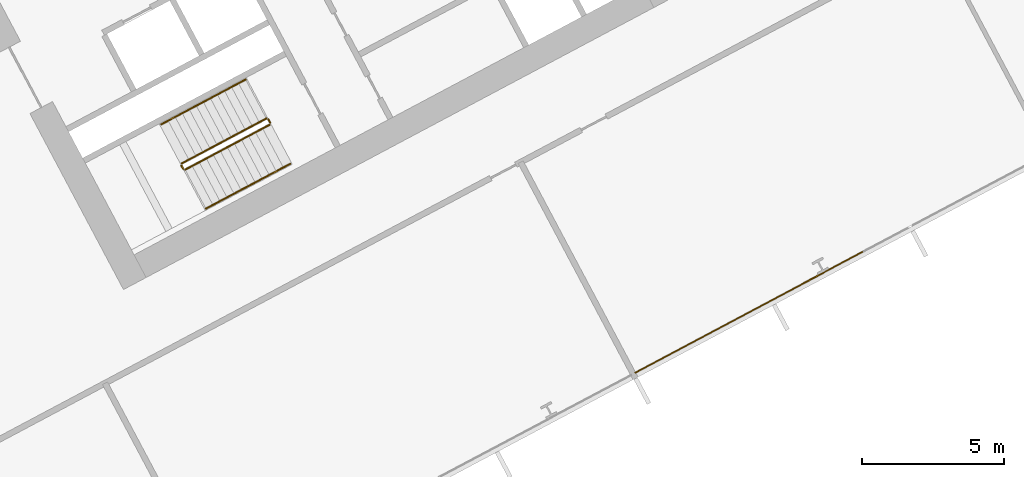
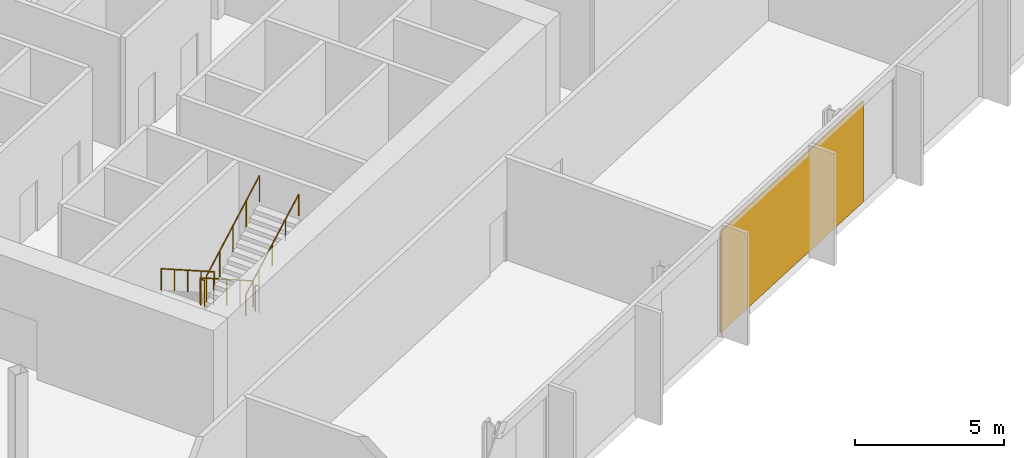
# One storey, part 27 of 31: 6 railings, 1 covering, 1 element without a shape of its own.
"""IFC4 building model written with IfcOpenShell, lengths in metres."""

from ifc_helpers import new_model, si_unit, direction, frame, origin, origin_2d, place, context, subcontext, project, spatial, polyline, rectangle, outline, extrude, material, layer, layer_set, type_object, element, aggregate, save


model = new_model("IFC4")

# Units and contexts
model_context = context("Model", 3, precision=1e-05, world=origin(), true_north=direction((0.0, 1.0)))
body_context = subcontext(model_context, "Body", "Model", "MODEL_VIEW")
ifc_project = project(units=[si_unit("LENGTHUNIT", "METRE"), si_unit("AREAUNIT", "SQUARE_METRE"), si_unit("VOLUMEUNIT", "CUBIC_METRE"), si_unit("PLANEANGLEUNIT", "RADIAN"), si_unit("MASSUNIT", "GRAM", prefix="KILO")], contexts=[model_context])

# Site, building, storey
site_placement = place(None, origin())
site = spatial("IfcSite", under=ifc_project, at=site_placement, CompositionType="ELEMENT")
building_placement = place(site_placement, origin())
building = spatial("IfcBuilding", under=site, at=building_placement, Name="Cormorant Relay Tower", CompositionType="ELEMENT")
storey_placement = place(building_placement, frame((0.0, 0.0, 98.39990234375)))
storey = spatial("IfcBuildingStorey", under=building, at=storey_placement, Name="L19", CompositionType="ELEMENT", Elevation=98.39990234375)

# Curtain wall, covering
ifc_material_1 = material(Name="Aluminium 6063-T6 anodised bronze", Category="aluminium")
ifc_layer_1 = layer(ifc_material_1, 0.199951171875)
ifc_layer_set_1 = layer_set([ifc_layer_1], Name="CW1 unitised bronze curtain wall with vertical fins")
curtain_wall_type = type_object("IfcCurtainWallType", Name="CW1 unitised bronze curtain wall with vertical fins", PredefinedType="NOTDEFINED", material=ifc_layer_set_1)
curtain_wall_placement = place(storey_placement, origin())
curtain_wall = element("IfcCurtainWall", 1, at=curtain_wall_placement, inside=storey, type_object=curtain_wall_type, Name="CW1 curtain wall 2", PredefinedType="NOTDEFINED")
ifc_material_2 = material(Name="Pale bronze anodised aluminium insulated panel", Category="aluminium")
ifc_layer_2 = layer(ifc_material_2, 0.0400390625)
ifc_layer_set_2 = layer_set([ifc_layer_2], Name="CW1 pale bronze insulated panel 40")
covering_type = type_object("IfcCoveringType", Name="CW1 pale bronze insulated panel 40", PredefinedType="CLADDING", material=ifc_layer_set_2)
covering_placement = place(storey_placement, frame((40.797119140625, -2.114501953125, 0.000244140625), z_axis=(0.0, 0.0, 1.0), x_axis=(0.882947592859, 0.469471562786, 0.0)))
covering = element("IfcCovering", 2, at=covering_placement, type_object=covering_type, Name="CW1 panel S07", PredefinedType="CLADDING", context=body_context, shape_type="SweptSolid", body=[
    extrude(rectangle(XDim=9.07373046875, YDim=0.0400390625, at=origin_2d()), origin(), (0.0, 0.0, 1.0), 4.14990234375),
])
aggregate(curtain_wall, [covering])

# Railings
ifc_material_3 = material(Name="Steel ASTM A572 Grade 50 (Fy 345 MPa)", Category="steel")
railing_type_1 = type_object("IfcRailingType", Name="Stair guard 1100", PredefinedType="GUARDRAIL", material=ifc_material_3)
railing_1_placement = place(storey_placement, frame((23.83837890625, 4.6904296875, 0.177001953125)))
element("IfcRailing", 3, at=railing_1_placement, inside=storey, type_object=railing_type_1, Name="L19 B1 stair guard 1", PredefinedType="GUARDRAIL", context=body_context, shape_type="SweptSolid", body=[
    extrude(outline(polyline([(0.022216796875, 0.00927734375), (0.00927734375, 0.022216796875), (-0.00927734375, 0.022216796875), (-0.022216796875, 0.00927734375), (-0.022216796875, -0.00927734375), (-0.00927734375, -0.022216796875), (0.00927734375, -0.022216796875), (0.022216796875, -0.00927734375), (0.022216796875, 0.00927734375)])), frame((0.0, 0.0, 1.076171875), z_axis=(-0.746440668329, -0.396869088057, 0.534154711306), x_axis=(0.46945269911, -0.882957622595, 0.0)), (0.0, 0.0, 1.0), 3.974609375),
    extrude(outline(polyline([(0.019287109375, 0.008056640625), (0.008056640625, 0.019287109375), (-0.008056640625, 0.019287109375), (-0.019287109375, 0.008056640625), (-0.019287109375, -0.008056640625), (-0.008056640625, -0.019287109375), (0.008056640625, -0.019287109375), (0.019287109375, -0.008056640625), (0.019287109375, 0.008056640625)])), origin(), (0.0, 0.0, 1.0), 1.052001953125),
    extrude(outline(polyline([(0.019287109375, 0.008056640625), (0.008056640625, 0.019287109375), (-0.008056640625, 0.019287109375), (-0.019287109375, 0.008056640625), (-0.019287109375, -0.008056640625), (-0.008056640625, -0.019287109375), (0.008056640625, -0.019287109375), (0.019287109375, -0.008056640625), (0.019287109375, 0.008056640625)])), frame((-0.74169921875, -0.394287109375, 0.53076171875)), (0.0, 0.0, 1.0), 1.052001953125),
    extrude(outline(polyline([(0.019287109375, 0.008056640625), (0.008056640625, 0.019287109375), (-0.008056640625, 0.019287109375), (-0.019287109375, 0.008056640625), (-0.019287109375, -0.008056640625), (-0.008056640625, -0.019287109375), (0.008056640625, -0.019287109375), (0.019287109375, -0.008056640625), (0.019287109375, 0.008056640625)])), frame((-1.4833984375, -0.78857421875, 1.0615234375)), (0.0, 0.0, 1.0), 1.052001953125),
    extrude(outline(polyline([(0.019287109375, 0.008056640625), (0.008056640625, 0.019287109375), (-0.008056640625, 0.019287109375), (-0.019287109375, 0.008056640625), (-0.019287109375, -0.008056640625), (-0.008056640625, -0.019287109375), (0.008056640625, -0.019287109375), (0.019287109375, -0.008056640625), (0.019287109375, 0.008056640625)])), frame((-2.22509765625, -1.18310546875, 1.59228515625)), (0.0, 0.0, 1.0), 1.052001953125),
    extrude(outline(polyline([(0.019287109375, 0.008056640625), (0.008056640625, 0.019287109375), (-0.008056640625, 0.019287109375), (-0.019287109375, 0.008056640625), (-0.019287109375, -0.008056640625), (-0.008056640625, -0.019287109375), (0.008056640625, -0.019287109375), (0.019287109375, -0.008056640625), (0.019287109375, 0.008056640625)])), frame((-2.966796875, -1.577392578125, 2.123046875)), (0.0, 0.0, 1.0), 1.052001953125),
])
railing_2_placement = place(storey_placement, frame((20.850830078125, 3.04541015625, 2.300048828125)))
element("IfcRailing", 4, at=railing_2_placement, inside=storey, type_object=railing_type_1, Name="L19 B1 stair guard 2", PredefinedType="GUARDRAIL", context=body_context, shape_type="SweptSolid", body=[
    extrude(outline(polyline([(0.022216796875, 0.00927734375), (0.00927734375, 0.022216796875), (-0.00927734375, 0.022216796875), (-0.022216796875, 0.00927734375), (-0.022216796875, -0.00927734375), (-0.00927734375, -0.022216796875), (0.00927734375, -0.022216796875), (0.022216796875, -0.00927734375), (0.022216796875, 0.00927734375)])), frame((0.0, 0.0, 1.076171875), z_axis=(0.469828648786, -0.882757634224, 0.0), x_axis=(0.882757634224, 0.469828648786, 0.0)), (0.0, 0.0, 1.0), 0.150146484375),
    extrude(outline(polyline([(0.019287109375, 0.008056640625), (0.008056640625, 0.019287109375), (-0.008056640625, 0.019287109375), (-0.019287109375, 0.008056640625), (-0.019287109375, -0.008056640625), (-0.008056640625, -0.019287109375), (0.008056640625, -0.019287109375), (0.019287109375, -0.008056640625), (0.019287109375, 0.008056640625)])), origin(), (0.0, 0.0, 1.0), 1.052001953125),
    extrude(outline(polyline([(0.019287109375, 0.008056640625), (0.008056640625, 0.019287109375), (-0.008056640625, 0.019287109375), (-0.019287109375, 0.008056640625), (-0.019287109375, -0.008056640625), (-0.008056640625, -0.019287109375), (0.008056640625, -0.019287109375), (0.019287109375, -0.008056640625), (0.019287109375, 0.008056640625)])), frame((0.070556640625, -0.132568359375, 0.0)), (0.0, 0.0, 1.0), 1.052001953125),
])
railing_3_placement = place(storey_placement, frame((20.989013671875, 2.892333984375, 2.47705078125)))
element("IfcRailing", 5, at=railing_3_placement, inside=storey, type_object=railing_type_1, Name="L19 B1 stair guard 3", PredefinedType="GUARDRAIL", context=body_context, shape_type="SweptSolid", body=[
    extrude(outline(polyline([(0.022216796875, 0.00927734375), (0.00927734375, 0.022216796875), (-0.00927734375, 0.022216796875), (-0.022216796875, 0.00927734375), (-0.022216796875, -0.00927734375), (-0.00927734375, -0.022216796875), (0.00927734375, -0.022216796875), (0.022216796875, -0.00927734375), (0.022216796875, 0.00927734375)])), frame((0.0, 0.0, 1.076171875), z_axis=(0.746413465702, 0.396887285154, 0.534179203172), x_axis=(-0.469482818608, 0.88294160794, 0.0)), (0.0, 0.0, 1.0), 3.974365234375),
    extrude(outline(polyline([(0.019287109375, 0.008056640625), (0.008056640625, 0.019287109375), (-0.008056640625, 0.019287109375), (-0.019287109375, 0.008056640625), (-0.019287109375, -0.008056640625), (-0.008056640625, -0.019287109375), (0.008056640625, -0.019287109375), (0.019287109375, -0.008056640625), (0.019287109375, 0.008056640625)])), origin(), (0.0, 0.0, 1.0), 1.052001953125),
    extrude(outline(polyline([(0.019287109375, 0.008056640625), (0.008056640625, 0.019287109375), (-0.008056640625, 0.019287109375), (-0.019287109375, 0.008056640625), (-0.019287109375, -0.008056640625), (-0.008056640625, -0.019287109375), (0.008056640625, -0.019287109375), (0.019287109375, -0.008056640625), (0.019287109375, 0.008056640625)])), frame((0.74169921875, 0.394287109375, 0.53076171875)), (0.0, 0.0, 1.0), 1.052001953125),
    extrude(outline(polyline([(0.019287109375, 0.008056640625), (0.008056640625, 0.019287109375), (-0.008056640625, 0.019287109375), (-0.019287109375, 0.008056640625), (-0.019287109375, -0.008056640625), (-0.008056640625, -0.019287109375), (0.008056640625, -0.019287109375), (0.019287109375, -0.008056640625), (0.019287109375, 0.008056640625)])), frame((1.4833984375, 0.78857421875, 1.0615234375)), (0.0, 0.0, 1.0), 1.052001953125),
    extrude(outline(polyline([(0.019287109375, 0.008056640625), (0.008056640625, 0.019287109375), (-0.008056640625, 0.019287109375), (-0.019287109375, 0.008056640625), (-0.019287109375, -0.008056640625), (-0.008056640625, -0.019287109375), (0.008056640625, -0.019287109375), (0.019287109375, -0.008056640625), (0.019287109375, 0.008056640625)])), frame((2.224853515625, 1.18310546875, 1.59228515625)), (0.0, 0.0, 1.0), 1.052001953125),
    extrude(outline(polyline([(0.019287109375, 0.008056640625), (0.008056640625, 0.019287109375), (-0.008056640625, 0.019287109375), (-0.019287109375, 0.008056640625), (-0.019287109375, -0.008056640625), (-0.008056640625, -0.019287109375), (0.008056640625, -0.019287109375), (0.019287109375, -0.008056640625), (0.019287109375, 0.008056640625)])), frame((2.966552734375, 1.577392578125, 2.123046875)), (0.0, 0.0, 1.0), 1.052001953125),
])
railing_4_placement = place(storey_placement, frame((23.906005859375, 4.669677734375, 0.0)))
element("IfcRailing", 6, at=railing_4_placement, inside=storey, type_object=railing_type_1, Name="L19 B1 stair guard 4", PredefinedType="GUARDRAIL", context=body_context, shape_type="SweptSolid", body=[
    extrude(outline(polyline([(0.022216796875, 0.00927734375), (0.00927734375, 0.022216796875), (-0.00927734375, 0.022216796875), (-0.022216796875, 0.00927734375), (-0.022216796875, -0.00927734375), (-0.00927734375, -0.022216796875), (0.00927734375, -0.022216796875), (0.022216796875, -0.00927734375), (0.022216796875, 0.00927734375)])), frame((0.0, 0.0, 1.076171875), z_axis=(0.469234640946, -0.883073525669, 0.0), x_axis=(0.883073525669, 0.469234640946, 0.0)), (0.0, 0.0, 1.0), 0.14990234375),
    extrude(outline(polyline([(0.019287109375, 0.008056640625), (0.008056640625, 0.019287109375), (-0.008056640625, 0.019287109375), (-0.019287109375, 0.008056640625), (-0.019287109375, -0.008056640625), (-0.008056640625, -0.019287109375), (0.008056640625, -0.019287109375), (0.019287109375, -0.008056640625), (0.019287109375, 0.008056640625)])), origin(), (0.0, 0.0, 1.0), 1.052001953125),
    extrude(outline(polyline([(0.019287109375, 0.008056640625), (0.008056640625, 0.019287109375), (-0.008056640625, 0.019287109375), (-0.019287109375, 0.008056640625), (-0.019287109375, -0.008056640625), (-0.008056640625, -0.019287109375), (0.008056640625, -0.019287109375), (0.019287109375, -0.008056640625), (0.019287109375, 0.008056640625)])), frame((0.0703125, -0.13232421875, 0.0)), (0.0, 0.0, 1.0), 1.052001953125),
])
ifc_material_4 = material(Name="Steel ASTM A572 Grade 50 (Fy 345 MPa)", Category="steel")
railing_type_2 = type_object("IfcRailingType", Name="Stair handrail 900", PredefinedType="HANDRAIL", material=ifc_material_4)
railing_5_placement = place(storey_placement, frame((23.110595703125, 6.05908203125, 0.177001953125)))
element("IfcRailing", 7, at=railing_5_placement, inside=storey, type_object=railing_type_2, Name="L19 B1 stair handrail 1", PredefinedType="HANDRAIL", context=body_context, shape_type="SweptSolid", body=[
    extrude(outline(polyline([(0.022216796875, 0.00927734375), (0.00927734375, 0.022216796875), (-0.00927734375, 0.022216796875), (-0.022216796875, 0.00927734375), (-0.022216796875, -0.00927734375), (-0.00927734375, -0.022216796875), (0.00927734375, -0.022216796875), (0.022216796875, -0.00927734375), (0.022216796875, 0.00927734375)])), frame((0.0, 0.0, 0.8759765625), z_axis=(-0.746413465702, -0.396887285154, 0.534179203172), x_axis=(0.469482818608, -0.88294160794, 0.0)), (0.0, 0.0, 1.0), 3.974365234375),
    extrude(outline(polyline([(0.019287109375, 0.008056640625), (0.008056640625, 0.019287109375), (-0.008056640625, 0.019287109375), (-0.019287109375, 0.008056640625), (-0.019287109375, -0.008056640625), (-0.008056640625, -0.019287109375), (0.008056640625, -0.019287109375), (0.019287109375, -0.008056640625), (0.019287109375, 0.008056640625)])), origin(), (0.0, 0.0, 1.0), 0.851806640625),
    extrude(outline(polyline([(0.019287109375, 0.008056640625), (0.008056640625, 0.019287109375), (-0.008056640625, 0.019287109375), (-0.019287109375, 0.008056640625), (-0.019287109375, -0.008056640625), (-0.008056640625, -0.019287109375), (0.008056640625, -0.019287109375), (0.019287109375, -0.008056640625), (0.019287109375, 0.008056640625)])), frame((-0.74169921875, -0.394287109375, 0.53076171875)), (0.0, 0.0, 1.0), 0.851806640625),
    extrude(outline(polyline([(0.019287109375, 0.008056640625), (0.008056640625, 0.019287109375), (-0.008056640625, 0.019287109375), (-0.019287109375, 0.008056640625), (-0.019287109375, -0.008056640625), (-0.008056640625, -0.019287109375), (0.008056640625, -0.019287109375), (0.019287109375, -0.008056640625), (0.019287109375, 0.008056640625)])), frame((-1.4833984375, -0.78857421875, 1.0615234375)), (0.0, 0.0, 1.0), 0.851806640625),
    extrude(outline(polyline([(0.019287109375, 0.008056640625), (0.008056640625, 0.019287109375), (-0.008056640625, 0.019287109375), (-0.019287109375, 0.008056640625), (-0.019287109375, -0.008056640625), (-0.008056640625, -0.019287109375), (0.008056640625, -0.019287109375), (0.019287109375, -0.008056640625), (0.019287109375, 0.008056640625)])), frame((-2.224853515625, -1.18310546875, 1.59228515625)), (0.0, 0.0, 1.0), 0.851806640625),
    extrude(outline(polyline([(0.019287109375, 0.008056640625), (0.008056640625, 0.019287109375), (-0.008056640625, 0.019287109375), (-0.019287109375, 0.008056640625), (-0.019287109375, -0.008056640625), (-0.008056640625, -0.019287109375), (0.008056640625, -0.019287109375), (0.019287109375, -0.008056640625), (0.019287109375, 0.008056640625)])), frame((-2.966552734375, -1.577392578125, 2.123046875)), (0.0, 0.0, 1.0), 0.851806640625),
])
railing_6_placement = place(storey_placement, frame((21.716552734375, 1.523681640625, 2.47705078125)))
element("IfcRailing", 8, at=railing_6_placement, inside=storey, type_object=railing_type_2, Name="L19 B1 stair handrail 2", PredefinedType="HANDRAIL", context=body_context, shape_type="SweptSolid", body=[
    extrude(outline(polyline([(0.022216796875, 0.00927734375), (0.00927734375, 0.022216796875), (-0.00927734375, 0.022216796875), (-0.022216796875, 0.00927734375), (-0.022216796875, -0.00927734375), (-0.00927734375, -0.022216796875), (0.00927734375, -0.022216796875), (0.022216796875, -0.00927734375), (0.022216796875, 0.00927734375)])), frame((0.0, 0.0, 0.8759765625), z_axis=(0.746440668329, 0.396869088057, 0.534154711306), x_axis=(-0.46945269911, 0.882957622595, 0.0)), (0.0, 0.0, 1.0), 3.974609375),
    extrude(outline(polyline([(0.019287109375, 0.008056640625), (0.008056640625, 0.019287109375), (-0.008056640625, 0.019287109375), (-0.019287109375, 0.008056640625), (-0.019287109375, -0.008056640625), (-0.008056640625, -0.019287109375), (0.008056640625, -0.019287109375), (0.019287109375, -0.008056640625), (0.019287109375, 0.008056640625)])), origin(), (0.0, 0.0, 1.0), 0.851806640625),
    extrude(outline(polyline([(0.019287109375, 0.008056640625), (0.008056640625, 0.019287109375), (-0.008056640625, 0.019287109375), (-0.019287109375, 0.008056640625), (-0.019287109375, -0.008056640625), (-0.008056640625, -0.019287109375), (0.008056640625, -0.019287109375), (0.019287109375, -0.008056640625), (0.019287109375, 0.008056640625)])), frame((0.74169921875, 0.394287109375, 0.53076171875)), (0.0, 0.0, 1.0), 0.851806640625),
    extrude(outline(polyline([(0.019287109375, 0.008056640625), (0.008056640625, 0.019287109375), (-0.008056640625, 0.019287109375), (-0.019287109375, 0.008056640625), (-0.019287109375, -0.008056640625), (-0.008056640625, -0.019287109375), (0.008056640625, -0.019287109375), (0.019287109375, -0.008056640625), (0.019287109375, 0.008056640625)])), frame((1.4833984375, 0.78857421875, 1.0615234375)), (0.0, 0.0, 1.0), 0.851806640625),
    extrude(outline(polyline([(0.019287109375, 0.008056640625), (0.008056640625, 0.019287109375), (-0.008056640625, 0.019287109375), (-0.019287109375, 0.008056640625), (-0.019287109375, -0.008056640625), (-0.008056640625, -0.019287109375), (0.008056640625, -0.019287109375), (0.019287109375, -0.008056640625), (0.019287109375, 0.008056640625)])), frame((2.22509765625, 1.18310546875, 1.59228515625)), (0.0, 0.0, 1.0), 0.851806640625),
    extrude(outline(polyline([(0.019287109375, 0.008056640625), (0.008056640625, 0.019287109375), (-0.008056640625, 0.019287109375), (-0.019287109375, 0.008056640625), (-0.019287109375, -0.008056640625), (-0.008056640625, -0.019287109375), (0.008056640625, -0.019287109375), (0.019287109375, -0.008056640625), (0.019287109375, 0.008056640625)])), frame((2.966796875, 1.577392578125, 2.123046875)), (0.0, 0.0, 1.0), 0.851806640625),
])

save(model, "model.ifc")
